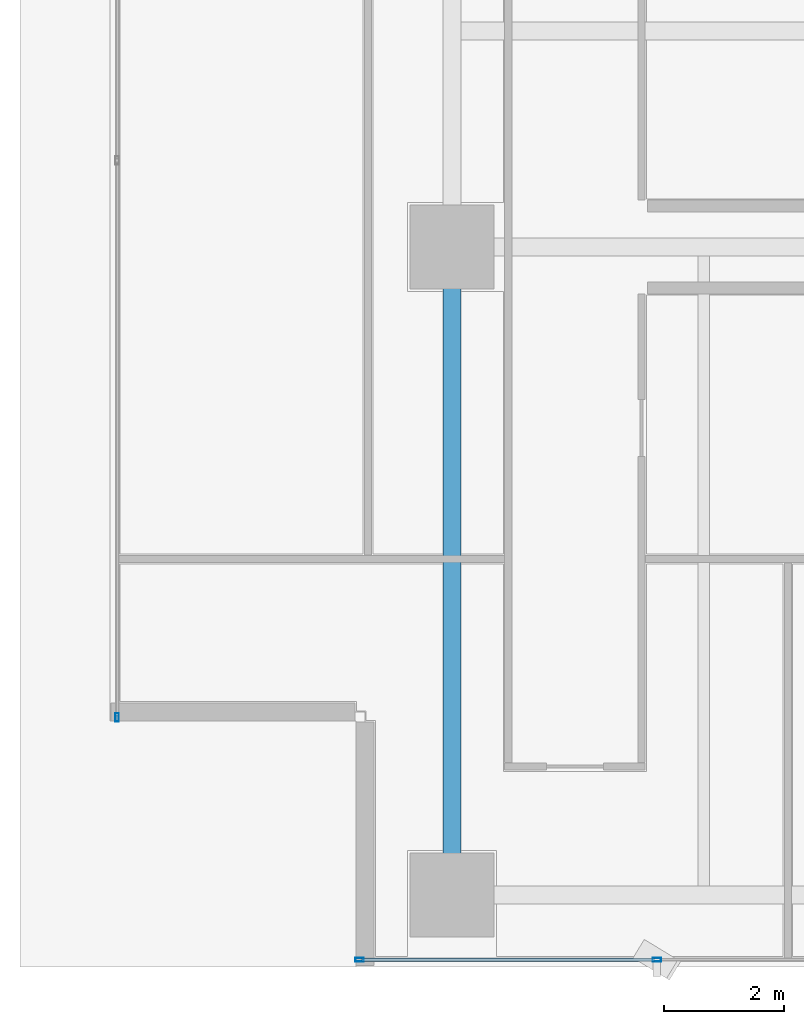
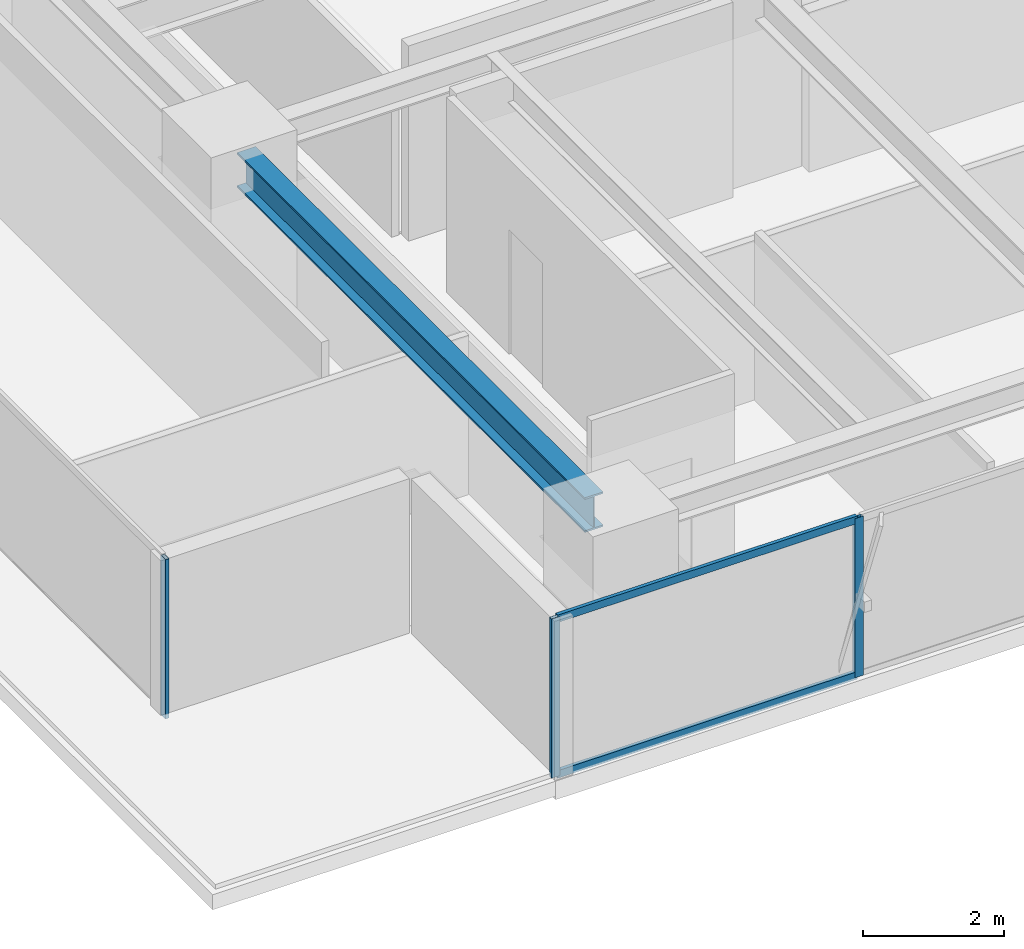
# One storey, part 2 of 27: 5 members, 1 beam, 2 elements without a shape of their own.
"""IFC4 building model written with IfcOpenShell, lengths in metres."""

from ifc_helpers import new_model, si_unit, direction, frame, origin, origin_2d, place, context, subcontext, project, spatial, hollow_rectangle, i_section, extrude, source, transform, mapped, material, layer, layer_set, material_profile, profile_set, type_object, element, aggregate, save


model = new_model("IFC4")

# Units and contexts
model_context = context("Model", 3, precision=1e-05, world=origin(), true_north=direction((0.0, 1.0)))
body_context = subcontext(model_context, "Body", "Model", "MODEL_VIEW")
ifc_project = project(units=[si_unit("LENGTHUNIT", "METRE"), si_unit("AREAUNIT", "SQUARE_METRE"), si_unit("VOLUMEUNIT", "CUBIC_METRE"), si_unit("PLANEANGLEUNIT", "RADIAN"), si_unit("MASSUNIT", "GRAM", prefix="KILO")], contexts=[model_context])

# Site, building, storey
site_placement = place(None, origin())
site = spatial("IfcSite", under=ifc_project, at=site_placement, CompositionType="ELEMENT")
building_placement = place(site_placement, origin())
building = spatial("IfcBuilding", under=site, at=building_placement, Name="Sumidabori Civic Tower", CompositionType="ELEMENT")
storey_placement = place(building_placement, frame((0.0, 0.0, 228.800048828125)))
storey = spatial("IfcBuildingStorey", under=building, at=storey_placement, Name="L59", CompositionType="ELEMENT", Elevation=228.800048828125)

# Beam
ifc_material_1 = material(Name="Steel SN490", Category="steel")
ifc_material_profile_1 = material_profile(ifc_material_1, i_section(OverallWidth=0.300048828125, OverallDepth=0.60009765625, WebThickness=0.015380859375, FlangeThickness=0.030029296875, at=origin_2d()), Name="HE 600 B")
ifc_profile_set_1 = profile_set([ifc_material_profile_1], Name="Steel SN490")
beam_type = type_object("IfcBeamType", Name="BM-GIRD-600", PredefinedType="BEAM", material=ifc_profile_set_1)
shared_shape_1 = source(origin(), body_context, "Body", "SweptSolid", [
    extrude(i_section(OverallWidth=0.300048828125, OverallDepth=0.60009765625, WebThickness=0.015380859375, FlangeThickness=0.030029296875, at=origin_2d()), origin(), (0.0, 0.0, 1.0), 9.840087890625),
])
beam_placement = place(storey_placement, frame((-16.800048828125, -10.320068359375, 3.070068359375), z_axis=(0.0, 1.0, 0.0), x_axis=(-1.0, 0.0, 0.0)))
element("IfcBeam", 1, at=beam_placement, inside=storey, type_object=beam_type, Name="Primary Girder L59 GY-05", PredefinedType="BEAM", context=body_context, shape_type="MappedRepresentation", body=[
    mapped(shared_shape_1, transform((0.0, 0.0, 0.0), x_axis=(1.0, 0.0, 0.0), y_axis=(0.0, 1.0, 0.0), z_axis=(0.0, 0.0, 1.0), scale=1.0)),
])

# Curtain wall, members
ifc_material_2 = material(Name="Anodised Bronze Aluminium AW-6063-T6", Category="aluminium")
ifc_layer = layer(ifc_material_2, 0.179931640625, Name="Anodised Bronze Aluminium AW-6063-T6")
ifc_layer_set = layer_set([ifc_layer], Name="Anodised Bronze Aluminium AW-6063-T6")
curtain_wall_type = type_object("IfcCurtainWallType", Name="CW-SYS-5", PredefinedType="NOTDEFINED", material=ifc_layer_set)
curtain_wall_1_placement = place(storey_placement, origin())
curtain_wall_1 = element("IfcCurtainWall", 2, at=curtain_wall_1_placement, inside=storey, type_object=curtain_wall_type, Name="Curtain Wall CW:L59:R01", PredefinedType="NOTDEFINED")
ifc_material_profile_2 = material_profile(ifc_material_2, hollow_rectangle(XDim=0.06005859375, YDim=0.139892578125, WallThickness=0.0048828125, at=origin_2d()), Name="ALU MULLION 140x60")
ifc_profile_set_2 = profile_set([ifc_material_profile_2], Name="Anodised Bronze Aluminium AW-6063-T6")
member_type_1 = type_object("IfcMemberType", Name="CW-MUL-140", PredefinedType="MULLION", material=ifc_profile_set_2)
shared_shape_2 = source(origin(), body_context, "Body", "SweptSolid", [
    extrude(hollow_rectangle(XDim=0.06005859375, YDim=0.139892578125, WallThickness=0.0048828125, at=origin_2d()), origin(), (0.0, 0.0, 1.0), 2.75),
])
member_1_placement = place(storey_placement, frame((-18.340087890625, -11.8798828125, 0.0), z_axis=(0.0, 0.0, 1.0), x_axis=(0.0, 1.0, 0.0)))
member_1 = element("IfcMember", 3, at=member_1_placement, type_object=member_type_1, Name="CW-5 mullion 1", PredefinedType="MULLION", context=body_context, shape_type="MappedRepresentation", body=[
    mapped(shared_shape_2, transform((0.0, 0.0, 0.0), x_axis=(1.0, 0.0, 0.0), y_axis=(0.0, 1.0, 0.0), z_axis=(0.0, 0.0, 1.0), scale=1.0)),
])
member_2_placement = place(storey_placement, frame((-13.385009765625, -11.8798828125, 0.0), z_axis=(0.0, 0.0, 1.0), x_axis=(0.0, 1.0, 0.0)))
member_2 = element("IfcMember", 4, at=member_2_placement, type_object=member_type_1, Name="CW-5 mullion 2", PredefinedType="MULLION", context=body_context, shape_type="MappedRepresentation", body=[
    mapped(shared_shape_2, transform((0.0, 0.0, 0.0), x_axis=(1.0, 0.0, 0.0), y_axis=(0.0, 1.0, 0.0), z_axis=(0.0, 0.0, 1.0), scale=1.0)),
])

# Curtain wall, member
curtain_wall_2_placement = place(storey_placement, origin())
curtain_wall_2 = element("IfcCurtainWall", 5, at=curtain_wall_2_placement, inside=storey, type_object=curtain_wall_type, Name="Curtain Wall CW:L59:R11", PredefinedType="NOTDEFINED")
member_3_placement = place(storey_placement, frame((-22.3798828125, -7.840087890625, 0.0), z_axis=(0.0, 0.0, 1.0), x_axis=(1.0, 0.0, 0.0)))
member_3 = element("IfcMember", 6, at=member_3_placement, type_object=member_type_1, Name="CW-5 mullion 4", PredefinedType="MULLION", context=body_context, shape_type="MappedRepresentation", body=[
    mapped(shared_shape_2, transform((0.0, 0.0, 0.0), x_axis=(1.0, 0.0, 0.0), y_axis=(0.0, 1.0, 0.0), z_axis=(0.0, 0.0, 1.0), scale=1.0)),
])
aggregate(curtain_wall_2, [member_3])

# Member
ifc_material_profile_3 = material_profile(ifc_material_2, hollow_rectangle(XDim=0.06005859375, YDim=0.1298828125, WallThickness=0.0048828125, at=origin_2d()), Name="ALU TRANSOM 130x60")
ifc_profile_set_3 = profile_set([ifc_material_profile_3], Name="Anodised Bronze Aluminium AW-6063-T6")
member_type_2 = type_object("IfcMemberType", Name="CW-TRN-130", PredefinedType="USERDEFINED", material=ifc_profile_set_3)
shared_shape_3 = source(origin(), body_context, "Body", "SweptSolid", [
    extrude(hollow_rectangle(XDim=0.06005859375, YDim=0.1298828125, WallThickness=0.0048828125, at=origin_2d()), origin(), (0.0, 0.0, 1.0), 4.89501953125),
])
member_4_placement = place(storey_placement, frame((-18.31005859375, -11.8798828125, 0.030029296875), z_axis=(1.0, 0.0, 0.0), x_axis=(0.0, 1.0, 0.0)))
member_4 = element("IfcMember", 7, at=member_4_placement, type_object=member_type_2, Name="CW-5 transom 1.1", ObjectType="TRANSOM", PredefinedType="USERDEFINED", context=body_context, shape_type="MappedRepresentation", body=[
    mapped(shared_shape_3, transform((0.0, 0.0, 0.0), x_axis=(1.0, 0.0, 0.0), y_axis=(0.0, 1.0, 0.0), z_axis=(0.0, 0.0, 1.0), scale=1.0)),
])

member_5_placement = place(storey_placement, frame((-18.31005859375, -11.8798828125, 2.719970703125), z_axis=(1.0, 0.0, 0.0), x_axis=(0.0, 1.0, 0.0)))
member_5 = element("IfcMember", 8, at=member_5_placement, type_object=member_type_2, Name="CW-5 transom 1.2", ObjectType="TRANSOM", PredefinedType="USERDEFINED", context=body_context, shape_type="MappedRepresentation", body=[
    mapped(shared_shape_3, transform((0.0, 0.0, 0.0), x_axis=(1.0, 0.0, 0.0), y_axis=(0.0, 1.0, 0.0), z_axis=(0.0, 0.0, 1.0), scale=1.0)),
])

aggregate(curtain_wall_1, [member_1, member_2, member_4, member_5])

save(model, "model.ifc")
